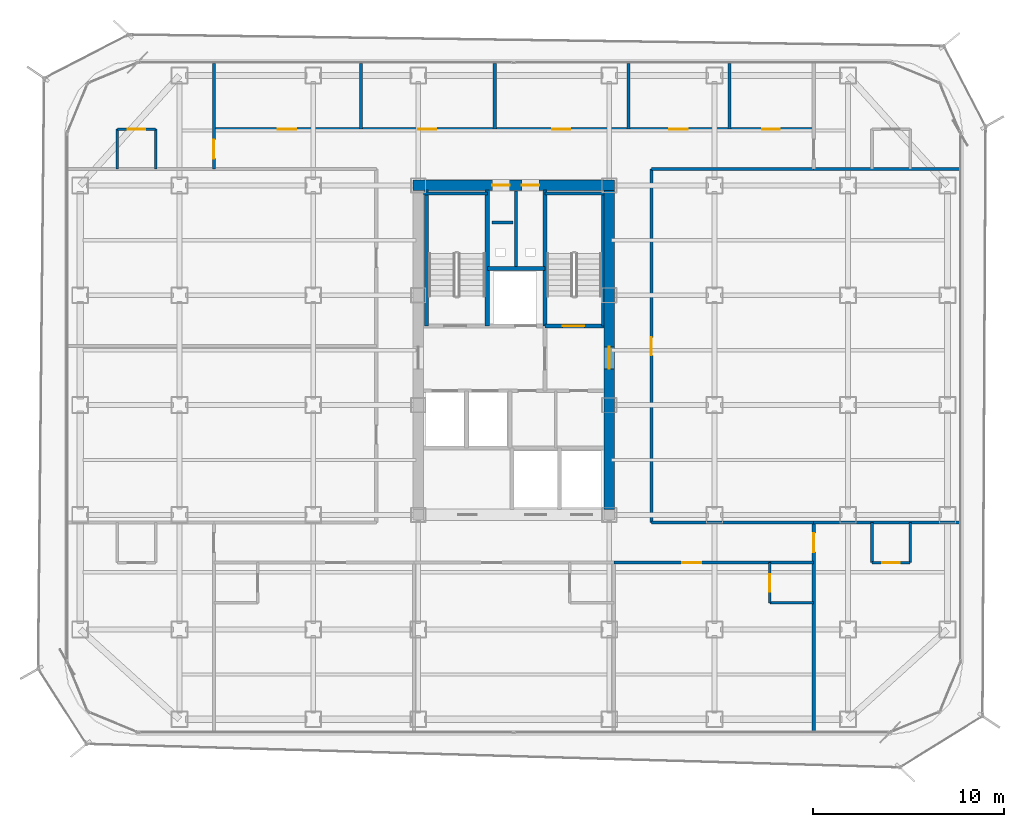
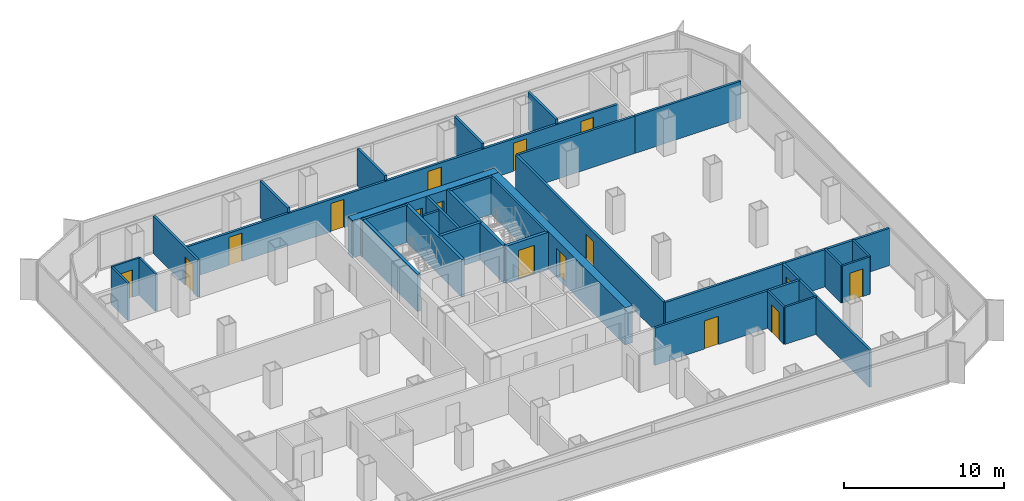
# One storey, part 17 of 21: 34 walls, 16 doors, 16 openings.
"""IFC4 building model written with IfcOpenShell, lengths in metres."""

import ifcopenshell
import ifcopenshell.guid

model = None  # the IFC model being written
_history = None  # IfcOwnerHistory: only IFC2X3 demands one
_inside = {}  # id of a spatial element -> (the spatial element, [elements in it])
_under = {}  # id of a project, library or spatial element -> (it, [spatial elements below it])
_declared = {}  # id of a project -> (the project, [libraries it declares])
_typed = {}  # id of a type object -> (the type object, [elements of that type])
_made_of = {}  # id of a material, layer set ... -> (it, [elements and type objects made of it])


def new_model(schema):
    """Start an empty IFC model of exactly this schema.

    Asked for "IFC4X3", IfcOpenShell would pick the latest addendum, in which some entities
    have other attributes; the version numbers below select the first issue.
    IFC2X3 requires an IfcOwnerHistory on every rooted entity: one is made here for all.
    """
    global model, _history
    if schema == "IFC4X3":
        model = ifcopenshell.file(schema_version=(4, 3, 0, 0))
    else:
        model = ifcopenshell.file(schema=schema)
    _inside.clear()
    _under.clear()
    _declared.clear()
    _typed.clear()
    _made_of.clear()
    _history = None
    if model.schema == "IFC2X3":
        org = make("IfcOrganization", Name="unknown")
        user = make(
            "IfcPersonAndOrganization",
            ThePerson=make("IfcPerson", FamilyName="unknown"),
            TheOrganization=org,
        )
        app = make(
            "IfcApplication",
            ApplicationDeveloper=org,
            Version="unknown",
            ApplicationFullName="unknown",
            ApplicationIdentifier="unknown",
        )
        _history = make(
            "IfcOwnerHistory",
            OwningUser=user,
            OwningApplication=app,
            ChangeAction="ADDED",
            CreationDate=0,
        )
    return model


def make(cls, **values):
    """One entity of the class cls with the attributes given. An attribute that is None is left unset."""
    return model.create_entity(
        cls, **{name: value for name, value in values.items() if value is not None}
    )


def rooted(cls, **values):
    """An entity with a GlobalId (a new one), such as an element, a storey or a relation."""
    return make(cls, GlobalId=ifcopenshell.guid.new(), OwnerHistory=_history, **values)


def si_unit(unit_type, name, prefix=None):
    """IfcSIUnit, for example si_unit("LENGTHUNIT", "METRE", prefix="MILLI")."""
    return make("IfcSIUnit", UnitType=unit_type, Prefix=prefix, Name=name)


def assignment(units):
    """IfcUnitAssignment: the units of a project."""
    return None if units is None else make("IfcUnitAssignment", Units=units)


def point(xyz):
    """IfcCartesianPoint."""
    return None if xyz is None else make("IfcCartesianPoint", Coordinates=xyz)


def direction(xyz):
    """IfcDirection."""
    return None if xyz is None else make("IfcDirection", DirectionRatios=xyz)


def frame(location, z_axis=None, x_axis=None):
    """IfcAxis2Placement3D, a coordinate frame: its origin and axes. An axis left out is left unset."""
    return make(
        "IfcAxis2Placement3D",
        Location=point(location),
        Axis=direction(z_axis),
        RefDirection=direction(x_axis),
    )


def frame_2d(location, x_axis=None):
    """IfcAxis2Placement2D, a coordinate frame in the plane: its origin and x axis."""
    return make(
        "IfcAxis2Placement2D", Location=point(location), RefDirection=direction(x_axis)
    )


def origin():
    """The frame at (0, 0, 0) with its axes left unset."""
    return frame((0.0, 0.0, 0.0))


def place(relative_to, where):
    """IfcLocalPlacement: puts the frame where relative to a parent placement (None: the world)."""
    return make(
        "IfcLocalPlacement", PlacementRelTo=relative_to, RelativePlacement=where
    )


def context(
    kind, dimensions, precision=None, world=None, true_north=None, identifier=None
):
    """IfcGeometricRepresentationContext, for example the 3D "Model" context."""
    return make(
        "IfcGeometricRepresentationContext",
        ContextIdentifier=identifier,
        ContextType=kind,
        CoordinateSpaceDimension=dimensions,
        Precision=precision,
        WorldCoordinateSystem=world,
        TrueNorth=true_north,
    )


def subcontext(parent, identifier, kind, view, scale=None):
    """IfcGeometricRepresentationSubContext, for example "Body" below "Model"."""
    return make(
        "IfcGeometricRepresentationSubContext",
        ContextIdentifier=identifier,
        ContextType=kind,
        ParentContext=parent,
        TargetScale=scale,
        TargetView=view,
    )


def project(units=None, contexts=None):
    """IfcProject with its units and contexts."""
    return rooted(
        "IfcProject",
        Name="project",
        RepresentationContexts=contexts,
        UnitsInContext=assignment(units),
    )


def spatial(cls, under=None, at=None, **own):
    """A site, building, storey or space (cls), placed at a placement, below another one or the project."""
    s = rooted(cls, ObjectPlacement=at, **own)
    if under is not None:
        _under.setdefault(under.id(), (under, []))[1].append(s)
    return s


def profile(cls, at=None, kind="AREA", **sizes):
    """A parametric profile (cls). Its sizes go by their IFC names, for example OverallWidth=200.0."""
    return make(cls, ProfileType=kind, Position=at, **sizes)


def rectangle(**sizes):
    """IfcRectangleProfileDef."""
    return profile("IfcRectangleProfileDef", **sizes)


def extrude(swept, where, along, depth):
    """IfcExtrudedAreaSolid: the profile swept, set in the frame where, extruded along a direction by depth."""
    return make(
        "IfcExtrudedAreaSolid",
        SweptArea=swept,
        Position=where,
        ExtrudedDirection=direction(along),
        Depth=depth,
    )


def shape(context_of_items, identifier, shape_type, items):
    """IfcShapeRepresentation: the items that make up one representation, for example the "Body"."""
    return make(
        "IfcShapeRepresentation",
        ContextOfItems=context_of_items,
        RepresentationIdentifier=identifier,
        RepresentationType=shape_type,
        Items=items,
    )


def material(Name=None, Category=None):
    """IfcMaterial."""
    return make("IfcMaterial", Name=Name, Category=Category)


def layer(
    of_material, thickness, ventilated=None, Name=None, Category=None, Priority=None
):
    """IfcMaterialLayer: one layer of a wall or slab, of a material (None: an air gap)."""
    return make(
        "IfcMaterialLayer",
        Material=of_material,
        LayerThickness=thickness,
        IsVentilated=ventilated,
        Name=Name,
        Category=Category,
        Priority=Priority,
    )


def layer_set(layers, Name=None):
    """IfcMaterialLayerSet."""
    return make("IfcMaterialLayerSet", MaterialLayers=layers, LayerSetName=Name)


def made_of(thing, what):
    """Note that an element or type object is made of a material, layer set ...; save() writes the relation."""
    if what is not None:
        _made_of.setdefault(what.id(), (what, []))[1].append(thing)
    return thing


def type_object(cls, material=None, **own):
    """A type object (cls), such as IfcWallType, which elements share."""
    return made_of(rooted(cls, **own), material)


def element(
    cls,
    number,
    at=None,
    inside=None,
    cuts=None,
    type_object=None,
    material=None,
    context=None,
    identifier="Body",
    shape_type=None,
    held_by="IfcProductDefinitionShape",
    body=None,
    shapes=None,
    **own,
):
    """One element of the class cls, such as IfcWall. Its Tag is "e" and its number.

    at: its placement. inside: the storey or other place that contains it. cuts: it is an
    opening in that element (IfcRelVoidsElement). A single representation is given by context,
    identifier, shape_type and body (its items); several are given by shapes. held_by: the class
    of the entity that holds the representations. save() writes the other relations.
    """
    e = rooted(cls, Tag="e%d" % number, ObjectPlacement=at, **own)
    if body is not None:
        shapes = [shape(context, identifier, shape_type, body)]
    if shapes is not None:
        e.Representation = make(held_by, Representations=shapes)
    if inside is not None:
        _inside.setdefault(inside.id(), (inside, []))[1].append(e)
    if cuts is not None:
        rooted(
            "IfcRelVoidsElement", RelatingBuildingElement=cuts, RelatedOpeningElement=e
        )
    if type_object is not None:
        _typed.setdefault(type_object.id(), (type_object, []))[1].append(e)
    return made_of(e, material)


def fill(opening, filler):
    """IfcRelFillsElement: the door or window that sits in an opening."""
    return rooted(
        "IfcRelFillsElement",
        RelatingOpeningElement=opening,
        RelatedBuildingElement=filler,
    )


def aggregate(whole, parts):
    """IfcRelAggregates: a whole, such as a stair, and the parts it consists of."""
    return rooted("IfcRelAggregates", RelatingObject=whole, RelatedObjects=parts)


def save(model, path):
    """Write the relations noted so far, then the file.

    IfcRelAggregates (storeys below a building ...), IfcRelContainedInSpatialStructure (elements
    in a storey), IfcRelDefinesByType, IfcRelAssociatesMaterial and IfcRelDeclares: one each for
    every whole, place, type object, material and project.
    """
    for whole, parts in _under.values():
        aggregate(whole, parts)
    for where, things in _inside.values():
        rooted(
            "IfcRelContainedInSpatialStructure",
            RelatedElements=things,
            RelatingStructure=where,
        )
    for kind, things in _typed.values():
        rooted("IfcRelDefinesByType", RelatedObjects=things, RelatingType=kind)
    for what, things in _made_of.values():
        rooted("IfcRelAssociatesMaterial", RelatedObjects=things, RelatingMaterial=what)
    for by, libraries in _declared.values():
        rooted("IfcRelDeclares", RelatingContext=by, RelatedDefinitions=libraries)
    model.write(path)


model = new_model("IFC4")

# Units and contexts
model_context = context("Model", 3, precision=1e-05, world=origin(), true_north=direction((0.0, 1.0)))
body_context = subcontext(model_context, "Body", "Model", "MODEL_VIEW")
ifc_project = project(units=[si_unit("LENGTHUNIT", "METRE"), si_unit("AREAUNIT", "SQUARE_METRE"), si_unit("VOLUMEUNIT", "CUBIC_METRE"), si_unit("PLANEANGLEUNIT", "RADIAN"), si_unit("MASSUNIT", "GRAM", prefix="KILO")], contexts=[model_context])

# Site, building, storey
site_placement = place(None, origin())
site = spatial("IfcSite", under=ifc_project, at=site_placement, CompositionType="ELEMENT")
building_placement = place(site_placement, origin())
building = spatial("IfcBuilding", under=site, at=building_placement, Name="Kolveth Station Tower", CompositionType="ELEMENT")
storey_placement = place(building_placement, frame((0.0, 0.0, 148.39990234375)))
storey = spatial("IfcBuildingStorey", under=building, at=storey_placement, Name="L41", CompositionType="ELEMENT", Elevation=148.39990234375)

# Wall, openings, doors
ifc_material_1 = material(Name="Concrete C60/75", Category="concrete")
ifc_layer_1 = layer(ifc_material_1, 0.550048828125)
ifc_layer_set_1 = layer_set([ifc_layer_1], Name="Concrete C60/75")
wall_type_1 = type_object("IfcWallType", Name="Wall_CW-550", PredefinedType="SHEAR", material=ifc_layer_set_1)
wall_1_placement = place(storey_placement, frame((18.22509765625, 28.75, 0.0), z_axis=(0.0, 0.0, 1.0), x_axis=(1.0, 0.0, 0.0)))
wall_1 = element("IfcWall", 1, at=wall_1_placement, inside=storey, type_object=wall_type_1, Name="L41 Core RC Shear Wall N", PredefinedType="SHEAR", context=body_context, shape_type="SweptSolid", body=[
    extrude(rectangle(XDim=10.5498046875, YDim=0.550048828125, at=frame_2d((5.27490234375, 0.0))), origin(), (0.0, 0.0, 1.0), 2.840087890625),
])
opening_1_placement = place(wall_1_placement, frame((4.155029296875, 0.0, 0.0)))
opening_1 = element("IfcOpeningElement", 2, at=opening_1_placement, cuts=wall_1, Name="Opening RD1", PredefinedType="OPENING", context=body_context, shape_type="SweptSolid", body=[
    extrude(rectangle(XDim=0.89990234375, YDim=2.050048828125, at=frame_2d((0.449951171875, 1.02490234375))), frame((0.0, 0.284912109375, 0.0), z_axis=(0.0, -1.0, 0.0), x_axis=(1.0, 0.0, 0.0)), (0.0, 0.0, 1.0), 0.570068359375),
])
opening_2_placement = place(wall_1_placement, frame((5.695068359375, 0.0, 0.0)))
opening_2 = element("IfcOpeningElement", 3, at=opening_2_placement, cuts=wall_1, Name="Opening RD1", PredefinedType="OPENING", context=body_context, shape_type="SweptSolid", body=[
    extrude(rectangle(XDim=0.89990234375, YDim=2.050048828125, at=frame_2d((0.449951171875, 1.02490234375))), frame((0.0, 0.284912109375, 0.0), z_axis=(0.0, -1.0, 0.0), x_axis=(1.0, 0.0, 0.0)), (0.0, 0.0, 1.0), 0.570068359375),
])
ifc_material_2 = material(Name="Fire-rated Steel S355 riser access leaf", Category="steel")
door_type_1 = type_object("IfcDoorType", Name="Door_RD1", OperationType="NOTDEFINED", PredefinedType="DOOR", material=ifc_material_2)
door_1_placement = place(opening_1_placement, origin())
door_1 = element("IfcDoor", 4, at=door_1_placement, inside=storey, type_object=door_type_1, Name="L41 Electrical Riser Access Door", OperationType="SINGLE_SWING_LEFT", OverallHeight=2.050048828125, OverallWidth=0.89990234375, PredefinedType="DOOR", context=body_context, shape_type="SweptSolid", body=[
    extrude(rectangle(XDim=0.89990234375, YDim=2.050048828125, at=frame_2d((0.449951171875, 1.02490234375))), frame((0.0, 0.02490234375, 0.0), z_axis=(0.0, -1.0, 0.0), x_axis=(1.0, 0.0, 0.0)), (0.0, 0.0, 1.0), 0.050048828125),
])
fill(opening_1, door_1)
door_2_placement = place(opening_2_placement, origin())
door_2 = element("IfcDoor", 5, at=door_2_placement, inside=storey, type_object=door_type_1, Name="L41 Smoke Duct Access Door", OperationType="SINGLE_SWING_RIGHT", OverallHeight=2.050048828125, OverallWidth=0.89990234375, PredefinedType="DOOR", context=body_context, shape_type="SweptSolid", body=[
    extrude(rectangle(XDim=0.89990234375, YDim=2.050048828125, at=frame_2d((0.449951171875, 1.02490234375))), frame((0.0, 0.02490234375, 0.0), z_axis=(0.0, -1.0, 0.0), x_axis=(1.0, 0.0, 0.0)), (0.0, 0.0, 1.0), 0.050048828125),
])
fill(opening_2, door_2)

# Wall, opening, door
wall_2_placement = place(storey_placement, frame((28.5, 11.77490234375, 0.0), z_axis=(0.0, 0.0, 1.0), x_axis=(0.0, 1.0, 0.0)))
wall_2 = element("IfcWall", 6, at=wall_2_placement, inside=storey, type_object=wall_type_1, Name="L41 Core RC Shear Wall E", PredefinedType="SHEAR", context=body_context, shape_type="SweptSolid", body=[
    extrude(rectangle(XDim=16.7001953125, YDim=0.550048828125, at=frame_2d((8.35009765625, 0.0))), origin(), (0.0, 0.0, 1.0), 2.840087890625),
])
opening_3_placement = place(wall_2_placement, frame((7.375, 0.0, 0.0)))
opening_3 = element("IfcOpeningElement", 7, at=opening_3_placement, cuts=wall_2, Name="Opening FD1", PredefinedType="OPENING", context=body_context, shape_type="SweptSolid", body=[
    extrude(rectangle(XDim=1.14990234375, YDim=2.199951171875, at=frame_2d((0.574951171875, 1.10009765625))), frame((0.0, 0.284912109375, 0.0), z_axis=(0.0, -1.0, 0.0), x_axis=(1.0, 0.0, 0.0)), (0.0, 0.0, 1.0), 0.570068359375),
])
ifc_material_3 = material(Name="Fire-rated Steel S355 leaf and frame", Category="steel")
door_type_2 = type_object("IfcDoorType", Name="Door_FD1", OperationType="NOTDEFINED", PredefinedType="DOOR", material=ifc_material_3)
door_3_placement = place(opening_3_placement, origin())
door_3 = element("IfcDoor", 8, at=door_3_placement, inside=storey, type_object=door_type_2, Name="L41 East Corridor to Stair Lobby Door", OperationType="SINGLE_SWING_RIGHT", OverallHeight=2.199951171875, OverallWidth=1.14990234375, PredefinedType="DOOR", context=body_context, shape_type="SweptSolid", body=[
    extrude(rectangle(XDim=1.14990234375, YDim=2.199951171875, at=frame_2d((0.574951171875, 1.10009765625))), frame((0.0, 0.02490234375, 0.0), z_axis=(0.0, -1.0, 0.0), x_axis=(1.0, 0.0, 0.0)), (0.0, 0.0, 1.0), 0.050048828125),
])
fill(opening_3, door_3)

# Walls
ifc_material_4 = material(Name="Moisture-resistant gypsum partition")
ifc_layer_2 = layer(ifc_material_4, 0.135009765625)
ifc_layer_set_2 = layer_set([ifc_layer_2], Name="Moisture-resistant gypsum partition")
wall_type_2 = type_object("IfcWallType", Name="Wall_IW-135", PredefinedType="PARTITIONING", material=ifc_layer_set_2)
wall_3_placement = place(storey_placement, frame((28.16748046875, 21.389892578125, 0.0), z_axis=(0.0, 0.0, 1.0), x_axis=(0.0, 1.0, 0.0)))
element("IfcWall", 9, at=wall_3_placement, inside=storey, type_object=wall_type_2, Name="L41 Stair Shaft Wall WL-L41-ST2-E", PredefinedType="PARTITIONING", context=body_context, shape_type="SweptSolid", body=[
    extrude(rectangle(XDim=6.945068359375, YDim=0.135009765625, at=frame_2d((3.47265625, 0.0))), origin(), (0.0, 0.0, 1.0), 2.840087890625),
])
for number, where, z_axis, x_axis, name in (
    (10, (2.75, 29.60009765625, 0.0), (0.0, 0.0, 1.0), (0.0, 1.0, 0.0), "L41 Partition Wall WL-L41-WS2-BV1"),
    (11, (4.75, 29.60009765625, 0.0), (0.0, 0.0, 1.0), (0.0, 1.0, 0.0), "L41 Partition Wall WL-L41-WS2-BV2"),
):
    element("IfcWall", number, at=place(storey_placement, frame(where, z_axis=z_axis, x_axis=x_axis)), inside=storey, type_object=wall_type_2, Name=name, PredefinedType="PARTITIONING", context=body_context, shape_type="SweptSolid", body=[
        extrude(rectangle(XDim=2.099853515625, YDim=0.135009765625, at=frame_2d((1.0498046875, 0.0))), origin(), (0.0, 0.0, 1.0), 2.840087890625),
    ])

# Wall, opening, door
wall_4_placement = place(storey_placement, frame((2.75, 31.699951171875, 0.0), z_axis=(0.0, 0.0, 1.0), x_axis=(1.0, 0.0, 0.0)))
wall_4 = element("IfcWall", 12, at=wall_4_placement, inside=storey, type_object=wall_type_2, Name="L41 Partition Wall WL-L41-WS2-BH", PredefinedType="PARTITIONING", context=body_context, shape_type="SweptSolid", body=[
    extrude(rectangle(XDim=2.0, YDim=0.135009765625, at=frame_2d((1.0, 0.0))), origin(), (0.0, 0.0, 1.0), 2.840087890625),
])
opening_4_placement = place(wall_4_placement, frame((0.5400390625, 0.0, 0.0)))
opening_4 = element("IfcOpeningElement", 13, at=opening_4_placement, cuts=wall_4, Name="Opening ID2", PredefinedType="OPENING", context=body_context, shape_type="SweptSolid", body=[
    extrude(rectangle(XDim=0.919921875, YDim=2.10009765625, at=frame_2d((0.4599609375, 1.050048828125))), frame((0.0, 0.077392578125, 0.0), z_axis=(0.0, -1.0, 0.0), x_axis=(1.0, 0.0, 0.0)), (0.0, 0.0, 1.0), 0.155029296875),
])
ifc_material_5 = material(Name="Moisture-resistant hardwood leaf", Category="wood")
door_type_3 = type_object("IfcDoorType", Name="Door_ID2", OperationType="NOTDEFINED", PredefinedType="DOOR", material=ifc_material_5)
door_4_placement = place(opening_4_placement, frame((0.919921875, 0.0, 0.0), z_axis=(0.0, 0.0, 1.0), x_axis=(-1.0, 0.0, 0.0)))
door_4 = element("IfcDoor", 14, at=door_4_placement, inside=storey, type_object=door_type_3, Name="L41 Hotel Guest Room WS2 En-Suite Door", OperationType="SINGLE_SWING_RIGHT", OverallHeight=2.10009765625, OverallWidth=0.919921875, PredefinedType="DOOR", context=body_context, shape_type="SweptSolid", body=[
    extrude(rectangle(XDim=0.919921875, YDim=2.10009765625, at=frame_2d((0.4599609375, 1.050048828125))), frame((0.0, 0.02490234375, 0.0), z_axis=(0.0, -1.0, 0.0), x_axis=(1.0, 0.0, 0.0)), (0.0, 0.0, 1.0), 0.050048828125),
])
fill(opening_4, door_4)

# Walls
for number, where, z_axis, x_axis, name in (
    (15, (42.25, 9.0, 0.0), (0.0, 0.0, 1.0), (0.0, 1.0, 0.0), "L41 Partition Wall WL-L41-ES1-BV1"),
    (16, (44.25, 9.0, 0.0), (0.0, 0.0, 1.0), (0.0, 1.0, 0.0), "L41 Partition Wall WL-L41-ES1-BV2"),
):
    element("IfcWall", number, at=place(storey_placement, frame(where, z_axis=z_axis, x_axis=x_axis)), inside=storey, type_object=wall_type_2, Name=name, PredefinedType="PARTITIONING", context=body_context, shape_type="SweptSolid", body=[
        extrude(rectangle(XDim=2.10009765625, YDim=0.135009765625, at=frame_2d((1.050048828125, 0.0))), origin(), (0.0, 0.0, 1.0), 2.840087890625),
    ])

# Wall, opening, door
wall_5_placement = place(storey_placement, frame((42.25, 9.0, 0.0), z_axis=(0.0, 0.0, 1.0), x_axis=(1.0, 0.0, 0.0)))
wall_5 = element("IfcWall", 17, at=wall_5_placement, inside=storey, type_object=wall_type_2, Name="L41 Partition Wall WL-L41-ES1-BH", PredefinedType="PARTITIONING", context=body_context, shape_type="SweptSolid", body=[
    extrude(rectangle(XDim=2.0, YDim=0.135009765625, at=frame_2d((1.0, 0.0))), origin(), (0.0, 0.0, 1.0), 2.840087890625),
])
opening_5_placement = place(wall_5_placement, frame((0.5400390625, 0.0, 0.0)))
opening_5 = element("IfcOpeningElement", 18, at=opening_5_placement, cuts=wall_5, Name="Opening ID2", PredefinedType="OPENING", context=body_context, shape_type="SweptSolid", body=[
    extrude(rectangle(XDim=0.919921875, YDim=2.10009765625, at=frame_2d((0.4599609375, 1.050048828125))), frame((0.0, 0.077392578125, 0.0), z_axis=(0.0, -1.0, 0.0), x_axis=(1.0, 0.0, 0.0)), (0.0, 0.0, 1.0), 0.155029296875),
])
door_5_placement = place(opening_5_placement, origin())
door_5 = element("IfcDoor", 19, at=door_5_placement, inside=storey, type_object=door_type_3, Name="L41 Hotel Corner Suite ES1 En-Suite Door", OperationType="SINGLE_SWING_RIGHT", OverallHeight=2.10009765625, OverallWidth=0.919921875, PredefinedType="DOOR", context=body_context, shape_type="SweptSolid", body=[
    extrude(rectangle(XDim=0.919921875, YDim=2.10009765625, at=frame_2d((0.4599609375, 1.050048828125))), frame((0.0, 0.02490234375, 0.0), z_axis=(0.0, -1.0, 0.0), x_axis=(1.0, 0.0, 0.0)), (0.0, 0.0, 1.0), 0.050048828125),
])
fill(opening_5, door_5)

wall_6_placement = place(storey_placement, frame((36.89990234375, 6.89990234375, 0.0), z_axis=(0.0, 0.0, 1.0), x_axis=(0.0, 1.0, 0.0)))
wall_6 = element("IfcWall", 20, at=wall_6_placement, inside=storey, type_object=wall_type_2, Name="L41 Partition Wall WL-L41-HS3-BV", PredefinedType="PARTITIONING", context=body_context, shape_type="SweptSolid", body=[
    extrude(rectangle(XDim=2.10009765625, YDim=0.135009765625, at=frame_2d((1.050048828125, 0.0))), origin(), (0.0, 0.0, 1.0), 2.840087890625),
])
opening_6_placement = place(wall_6_placement, frame((0.580078125, 0.0, 0.0)))
opening_6 = element("IfcOpeningElement", 21, at=opening_6_placement, cuts=wall_6, Name="Opening ID2", PredefinedType="OPENING", context=body_context, shape_type="SweptSolid", body=[
    extrude(rectangle(XDim=0.919921875, YDim=2.10009765625, at=frame_2d((0.4599609375, 1.050048828125))), frame((0.0, 0.077392578125, 0.0), z_axis=(0.0, -1.0, 0.0), x_axis=(1.0, 0.0, 0.0)), (0.0, 0.0, 1.0), 0.155029296875),
])
door_6_placement = place(opening_6_placement, origin())
door_6 = element("IfcDoor", 22, at=door_6_placement, inside=storey, type_object=door_type_3, Name="L41 Hotel Corner Suite HS3 En-Suite Door", OperationType="SINGLE_SWING_RIGHT", OverallHeight=2.10009765625, OverallWidth=0.919921875, PredefinedType="DOOR", context=body_context, shape_type="SweptSolid", body=[
    extrude(rectangle(XDim=0.919921875, YDim=2.10009765625, at=frame_2d((0.4599609375, 1.050048828125))), frame((0.0, 0.02490234375, 0.0), z_axis=(0.0, -1.0, 0.0), x_axis=(1.0, 0.0, 0.0)), (0.0, 0.0, 1.0), 0.050048828125),
])
fill(opening_6, door_6)

# Walls
wall_7_placement = place(storey_placement, frame((36.89990234375, 6.89990234375, 0.0), z_axis=(0.0, 0.0, 1.0), x_axis=(1.0, 0.0, 0.0)))
element("IfcWall", 23, at=wall_7_placement, inside=storey, type_object=wall_type_2, Name="L41 Partition Wall WL-L41-HS3-BH", PredefinedType="PARTITIONING", context=body_context, shape_type="SweptSolid", body=[
    extrude(rectangle(XDim=2.300048828125, YDim=0.135009765625, at=frame_2d((1.14990234375, 0.0))), origin(), (0.0, 0.0, 1.0), 2.840087890625),
])
ifc_material_6 = material(Name="Acoustic double-stud gypsum partition")
ifc_layer_3 = layer(ifc_material_6, 0.1650390625)
ifc_layer_set_3 = layer_set([ifc_layer_3], Name="Acoustic double-stud gypsum partition")
wall_type_3 = type_object("IfcWallType", Name="Wall_IW-165", PredefinedType="PARTITIONING", material=ifc_layer_set_3)
wall_8_placement = place(storey_placement, frame((18.784912109375, 28.3349609375, 0.0), z_axis=(0.0, 0.0, 1.0), x_axis=(1.0, 0.0, 0.0)))
element("IfcWall", 24, at=wall_8_placement, inside=storey, type_object=wall_type_3, Name="L41 Stair Shaft Wall WL-L41-ST1-N", PredefinedType="PARTITIONING", context=body_context, shape_type="SweptSolid", body=[
    extrude(rectangle(XDim=3.3251953125, YDim=0.1650390625, at=frame_2d((1.66259765625, 0.0))), origin(), (0.0, 0.0, 1.0), 2.840087890625),
])
wall_9_placement = place(storey_placement, frame((25.1298828125, 28.3349609375, 0.0), z_axis=(0.0, 0.0, 1.0), x_axis=(1.0, 0.0, 0.0)))
element("IfcWall", 25, at=wall_9_placement, inside=storey, type_object=wall_type_3, Name="L41 Stair Shaft Wall WL-L41-ST2-N", PredefinedType="PARTITIONING", context=body_context, shape_type="SweptSolid", body=[
    extrude(rectangle(XDim=3.085205078125, YDim=0.1650390625, at=frame_2d((1.54248046875, 0.0))), origin(), (0.0, 0.0, 1.0), 2.840087890625),
])
wall_10_placement = place(storey_placement, frame((23.6201171875, 24.39990234375, 0.0), z_axis=(0.0, 0.0, 1.0), x_axis=(0.0, 1.0, 0.0)))
element("IfcWall", 26, at=wall_10_placement, inside=storey, type_object=wall_type_3, Name="L41 Partition Wall WL-L41-RSR-M", PredefinedType="PARTITIONING", context=body_context, shape_type="SweptSolid", body=[
    extrude(rectangle(XDim=4.065185546875, YDim=0.1650390625, at=frame_2d((2.03271484375, 0.0))), origin(), (0.0, 0.0, 1.0), 2.840087890625),
])

# Wall, openings, doors
wall_11_placement = place(storey_placement, frame((7.800048828125, 31.699951171875, 0.0), z_axis=(0.0, 0.0, 1.0), x_axis=(1.0, 0.0, 0.0)))
wall_11 = element("IfcWall", 27, at=wall_11_placement, inside=storey, type_object=wall_type_3, Name="L41 Partition Wall WL-L41-HN", PredefinedType="PARTITIONING", context=body_context, shape_type="SweptSolid", body=[
    extrude(rectangle(XDim=31.39990234375, YDim=0.1650390625, at=frame_2d((15.699951171875, 0.0))), origin(), (0.0, 0.0, 1.0), 2.47314453125),
])
opening_7_placement = place(wall_11_placement, frame((3.35009765625, 0.0, 0.0)))
opening_7 = element("IfcOpeningElement", 28, at=opening_7_placement, cuts=wall_11, Name="Opening ID1", PredefinedType="OPENING", context=body_context, shape_type="SweptSolid", body=[
    extrude(rectangle(XDim=0.949951171875, YDim=2.14990234375, at=frame_2d((0.47509765625, 1.074951171875))), frame((0.0, 0.092529296875, 0.0), z_axis=(0.0, -1.0, 0.0), x_axis=(1.0, 0.0, 0.0)), (0.0, 0.0, 1.0), 0.18505859375),
])
opening_8_placement = place(wall_11_placement, frame((10.699951171875, 0.0, 0.0)))
opening_8 = element("IfcOpeningElement", 29, at=opening_8_placement, cuts=wall_11, Name="Opening ID1", PredefinedType="OPENING", context=body_context, shape_type="SweptSolid", body=[
    extrude(rectangle(XDim=0.949951171875, YDim=2.14990234375, at=frame_2d((0.47509765625, 1.074951171875))), frame((0.0, 0.092529296875, 0.0), z_axis=(0.0, -1.0, 0.0), x_axis=(1.0, 0.0, 0.0)), (0.0, 0.0, 1.0), 0.18505859375),
])
opening_9_placement = place(wall_11_placement, frame((17.699951171875, 0.0, 0.0)))
opening_9 = element("IfcOpeningElement", 30, at=opening_9_placement, cuts=wall_11, Name="Opening ID1", PredefinedType="OPENING", context=body_context, shape_type="SweptSolid", body=[
    extrude(rectangle(XDim=0.949951171875, YDim=2.14990234375, at=frame_2d((0.47509765625, 1.074951171875))), frame((0.0, 0.092529296875, 0.0), z_axis=(0.0, -1.0, 0.0), x_axis=(1.0, 0.0, 0.0)), (0.0, 0.0, 1.0), 0.18505859375),
])
opening_10_placement = place(wall_11_placement, frame((23.85009765625, 0.0, 0.0)))
opening_10 = element("IfcOpeningElement", 31, at=opening_10_placement, cuts=wall_11, Name="Opening ID1", PredefinedType="OPENING", context=body_context, shape_type="SweptSolid", body=[
    extrude(rectangle(XDim=0.949951171875, YDim=2.14990234375, at=frame_2d((0.47509765625, 1.074951171875))), frame((0.0, 0.092529296875, 0.0), z_axis=(0.0, -1.0, 0.0), x_axis=(1.0, 0.0, 0.0)), (0.0, 0.0, 1.0), 0.18505859375),
])
opening_11_placement = place(wall_11_placement, frame((28.699951171875, 0.0, 0.0)))
opening_11 = element("IfcOpeningElement", 32, at=opening_11_placement, cuts=wall_11, Name="Opening ID2", PredefinedType="OPENING", context=body_context, shape_type="SweptSolid", body=[
    extrude(rectangle(XDim=0.919921875, YDim=2.10009765625, at=frame_2d((0.4599609375, 1.050048828125))), frame((0.0, 0.092529296875, 0.0), z_axis=(0.0, -1.0, 0.0), x_axis=(1.0, 0.0, 0.0)), (0.0, 0.0, 1.0), 0.18505859375),
])
ifc_material_7 = material(Name="Acoustic hardwood leaf and aluminium frame", Category="wood")
door_type_4 = type_object("IfcDoorType", Name="Door_ID1", OperationType="NOTDEFINED", PredefinedType="DOOR", material=ifc_material_7)
door_7_placement = place(opening_7_placement, origin())
door_7 = element("IfcDoor", 33, at=door_7_placement, inside=storey, type_object=door_type_4, Name="L41 Executive Hospitality Office 1 Door", OperationType="SINGLE_SWING_RIGHT", OverallHeight=2.14990234375, OverallWidth=0.949951171875, PredefinedType="DOOR", context=body_context, shape_type="SweptSolid", body=[
    extrude(rectangle(XDim=0.949951171875, YDim=2.14990234375, at=frame_2d((0.47509765625, 1.074951171875))), frame((0.0, 0.02490234375, 0.0), z_axis=(0.0, -1.0, 0.0), x_axis=(1.0, 0.0, 0.0)), (0.0, 0.0, 1.0), 0.050048828125),
])
fill(opening_7, door_7)
door_8_placement = place(opening_8_placement, origin())
door_8 = element("IfcDoor", 34, at=door_8_placement, inside=storey, type_object=door_type_4, Name="L41 Executive Hospitality Office 2 Door", OperationType="SINGLE_SWING_LEFT", OverallHeight=2.14990234375, OverallWidth=0.949951171875, PredefinedType="DOOR", context=body_context, shape_type="SweptSolid", body=[
    extrude(rectangle(XDim=0.949951171875, YDim=2.14990234375, at=frame_2d((0.47509765625, 1.074951171875))), frame((0.0, 0.02490234375, 0.0), z_axis=(0.0, -1.0, 0.0), x_axis=(1.0, 0.0, 0.0)), (0.0, 0.0, 1.0), 0.050048828125),
])
fill(opening_8, door_8)
door_9_placement = place(opening_9_placement, origin())
door_9 = element("IfcDoor", 35, at=door_9_placement, inside=storey, type_object=door_type_4, Name="L41 Sky Hospitality Boardroom Door", OperationType="SINGLE_SWING_RIGHT", OverallHeight=2.14990234375, OverallWidth=0.949951171875, PredefinedType="DOOR", context=body_context, shape_type="SweptSolid", body=[
    extrude(rectangle(XDim=0.949951171875, YDim=2.14990234375, at=frame_2d((0.47509765625, 1.074951171875))), frame((0.0, 0.02490234375, 0.0), z_axis=(0.0, -1.0, 0.0), x_axis=(1.0, 0.0, 0.0)), (0.0, 0.0, 1.0), 0.050048828125),
])
fill(opening_9, door_9)
door_10_placement = place(opening_10_placement, origin())
door_10 = element("IfcDoor", 36, at=door_10_placement, inside=storey, type_object=door_type_4, Name="L41 Floor Service Pantry Door", OperationType="SINGLE_SWING_LEFT", OverallHeight=2.14990234375, OverallWidth=0.949951171875, PredefinedType="DOOR", context=body_context, shape_type="SweptSolid", body=[
    extrude(rectangle(XDim=0.949951171875, YDim=2.14990234375, at=frame_2d((0.47509765625, 1.074951171875))), frame((0.0, 0.02490234375, 0.0), z_axis=(0.0, -1.0, 0.0), x_axis=(1.0, 0.0, 0.0)), (0.0, 0.0, 1.0), 0.050048828125),
])
fill(opening_10, door_10)
door_11_placement = place(opening_11_placement, origin())
door_11 = element("IfcDoor", 37, at=door_11_placement, inside=storey, type_object=door_type_3, Name="L41 Accessible Guest WC Door", OperationType="SINGLE_SWING_RIGHT", OverallHeight=2.10009765625, OverallWidth=0.919921875, PredefinedType="DOOR", context=body_context, shape_type="SweptSolid", body=[
    extrude(rectangle(XDim=0.919921875, YDim=2.10009765625, at=frame_2d((0.4599609375, 1.050048828125))), frame((0.0, 0.02490234375, 0.0), z_axis=(0.0, -1.0, 0.0), x_axis=(1.0, 0.0, 0.0)), (0.0, 0.0, 1.0), 0.050048828125),
])
fill(opening_11, door_11)

# Walls
for number, where, z_axis, x_axis, name in (
    (38, (30.699951171875, 11.10009765625, 0.0), (0.0, 0.0, 1.0), (1.0, 0.0, 0.0), "L41 Partition Wall WL-L41-HSET"),
    (39, (30.699951171875, 29.60009765625, 0.0), (0.0, 0.0, 1.0), (1.0, 0.0, 0.0), "L41 Partition Wall WL-L41-HNEB"),
):
    element("IfcWall", number, at=place(storey_placement, frame(where, z_axis=z_axis, x_axis=x_axis)), inside=storey, type_object=wall_type_3, Name=name, PredefinedType="PARTITIONING", context=body_context, shape_type="SweptSolid", body=[
        extrude(rectangle(XDim=8.5, YDim=0.1650390625, at=frame_2d((4.25, 0.0))), origin(), (0.0, 0.0, 1.0), 2.840087890625),
    ])

# Wall, opening, door
wall_12_placement = place(storey_placement, frame((30.699951171875, 11.10009765625, 0.0), z_axis=(0.0, 0.0, 1.0), x_axis=(0.0, 1.0, 0.0)))
wall_12 = element("IfcWall", 40, at=wall_12_placement, inside=storey, type_object=wall_type_3, Name="L41 Partition Wall WL-L41-HE", PredefinedType="PARTITIONING", context=body_context, shape_type="SweptSolid", body=[
    extrude(rectangle(XDim=18.5, YDim=0.1650390625, at=frame_2d((9.25, 0.0))), origin(), (0.0, 0.0, 1.0), 2.840087890625),
])
opening_12_placement = place(wall_12_placement, frame((8.75, 0.0, 0.0)))
opening_12 = element("IfcOpeningElement", 41, at=opening_12_placement, cuts=wall_12, Name="Opening ID1", PredefinedType="OPENING", context=body_context, shape_type="SweptSolid", body=[
    extrude(rectangle(XDim=0.949951171875, YDim=2.14990234375, at=frame_2d((0.47509765625, 1.074951171875))), frame((0.0, 0.092529296875, 0.0), z_axis=(0.0, -1.0, 0.0), x_axis=(1.0, 0.0, 0.0)), (0.0, 0.0, 1.0), 0.18505859375),
])
door_12_placement = place(opening_12_placement, origin())
door_12 = element("IfcDoor", 42, at=door_12_placement, inside=storey, type_object=door_type_4, Name="L41 Grand Hospitality Salon Door", OperationType="SINGLE_SWING_LEFT", OverallHeight=2.14990234375, OverallWidth=0.949951171875, PredefinedType="DOOR", context=body_context, shape_type="SweptSolid", body=[
    extrude(rectangle(XDim=0.949951171875, YDim=2.14990234375, at=frame_2d((0.47509765625, 1.074951171875))), frame((0.0, 0.02490234375, 0.0), z_axis=(0.0, -1.0, 0.0), x_axis=(1.0, 0.0, 0.0)), (0.0, 0.0, 1.0), 0.050048828125),
])
fill(opening_12, door_12)

wall_13_placement = place(storey_placement, frame((7.800048828125, 29.60009765625, 0.0), z_axis=(0.0, 0.0, 1.0), x_axis=(0.0, 1.0, 0.0)))
wall_13 = element("IfcWall", 43, at=wall_13_placement, inside=storey, type_object=wall_type_3, Name="L41 Partition Wall WL-L41-END-WN", PredefinedType="PARTITIONING", context=body_context, shape_type="SweptSolid", body=[
    extrude(rectangle(XDim=5.539794921875, YDim=0.1650390625, at=frame_2d((2.77001953125, 0.0))), origin(), (0.0, 0.0, 1.0), 2.840087890625),
])
opening_13_placement = place(wall_13_placement, frame((0.550048828125, 0.0, 0.0)))
opening_13 = element("IfcOpeningElement", 44, at=opening_13_placement, cuts=wall_13, Name="Opening FD3", PredefinedType="OPENING", context=body_context, shape_type="SweptSolid", body=[
    extrude(rectangle(XDim=1.0, YDim=2.14990234375, at=frame_2d((0.5, 1.074951171875))), frame((0.0, 0.092529296875, 0.0), z_axis=(0.0, -1.0, 0.0), x_axis=(1.0, 0.0, 0.0)), (0.0, 0.0, 1.0), 0.18505859375),
])
ifc_material_8 = material(Name="Fire-rated hardwood leaf and aluminium frame", Category="wood")
door_type_5 = type_object("IfcDoorType", Name="Door_FD3", OperationType="NOTDEFINED", PredefinedType="DOOR", material=ifc_material_8)
door_13_placement = place(opening_13_placement, origin())
door_13 = element("IfcDoor", 45, at=door_13_placement, inside=storey, type_object=door_type_5, Name="L41 Hotel Guest Room WS2 Entrance Door", OperationType="SINGLE_SWING_LEFT", OverallHeight=2.14990234375, OverallWidth=1.0, PredefinedType="DOOR", context=body_context, shape_type="SweptSolid", body=[
    extrude(rectangle(XDim=1.0, YDim=2.14990234375, at=frame_2d((0.5, 1.074951171875))), frame((0.0, 0.02490234375, 0.0), z_axis=(0.0, -1.0, 0.0), x_axis=(1.0, 0.0, 0.0)), (0.0, 0.0, 1.0), 0.050048828125),
])
fill(opening_13, door_13)

wall_14_placement = place(storey_placement, frame((39.199951171875, 0.159912109375, 0.0), z_axis=(0.0, 0.0, 1.0), x_axis=(0.0, 1.0, 0.0)))
wall_14 = element("IfcWall", 46, at=wall_14_placement, inside=storey, type_object=wall_type_3, Name="L41 Partition Wall WL-L41-END-ES", PredefinedType="PARTITIONING", context=body_context, shape_type="SweptSolid", body=[
    extrude(rectangle(XDim=10.940185546875, YDim=0.1650390625, at=frame_2d((5.47021484375, 0.0))), origin(), (0.0, 0.0, 1.0), 2.840087890625),
])
opening_14_placement = place(wall_14_placement, frame((9.389892578125, 0.0, 0.0)))
opening_14 = element("IfcOpeningElement", 47, at=opening_14_placement, cuts=wall_14, Name="Opening FD3", PredefinedType="OPENING", context=body_context, shape_type="SweptSolid", body=[
    extrude(rectangle(XDim=1.0, YDim=2.14990234375, at=frame_2d((0.5, 1.074951171875))), frame((0.0, 0.092529296875, 0.0), z_axis=(0.0, -1.0, 0.0), x_axis=(1.0, 0.0, 0.0)), (0.0, 0.0, 1.0), 0.18505859375),
])
door_14_placement = place(opening_14_placement, frame((1.0, 0.0, 0.0), z_axis=(0.0, 0.0, 1.0), x_axis=(-1.0, 0.0, 0.0)))
door_14 = element("IfcDoor", 48, at=door_14_placement, inside=storey, type_object=door_type_5, Name="L41 Hotel Corner Suite ES1 Entrance Door", OperationType="SINGLE_SWING_LEFT", OverallHeight=2.14990234375, OverallWidth=1.0, PredefinedType="DOOR", context=body_context, shape_type="SweptSolid", body=[
    extrude(rectangle(XDim=1.0, YDim=2.14990234375, at=frame_2d((0.5, 1.074951171875))), frame((0.0, 0.02490234375, 0.0), z_axis=(0.0, -1.0, 0.0), x_axis=(1.0, 0.0, 0.0)), (0.0, 0.0, 1.0), 0.050048828125),
])
fill(opening_14, door_14)

# Walls
for number, where, z_axis, x_axis, name in (
    (49, (39.199951171875, 11.10009765625, 0.0), (0.0, 0.0, 1.0), (1.0, 0.0, 0.0), "L41 Partition Wall WL-L41-EM1"),
    (50, (39.199951171875, 29.60009765625, 0.0), (0.0, 0.0, 1.0), (1.0, 0.0, 0.0), "L41 Partition Wall WL-L41-EM2"),
):
    element("IfcWall", number, at=place(storey_placement, frame(where, z_axis=z_axis, x_axis=x_axis)), inside=storey, type_object=wall_type_3, Name=name, PredefinedType="PARTITIONING", context=body_context, shape_type="SweptSolid", body=[
        extrude(rectangle(XDim=7.64013671875, YDim=0.1650390625, at=frame_2d((3.820068359375, 0.0))), origin(), (0.0, 0.0, 1.0), 2.840087890625),
    ])
wall_15_placement = place(storey_placement, frame((36.89990234375, 9.0, 0.0), z_axis=(0.0, 0.0, 1.0), x_axis=(1.0, 0.0, 0.0)))
element("IfcWall", 51, at=wall_15_placement, inside=storey, type_object=wall_type_3, Name="L41 Partition Wall WL-L41-HS3-BCOR", PredefinedType="PARTITIONING", context=body_context, shape_type="SweptSolid", body=[
    extrude(rectangle(XDim=2.300048828125, YDim=0.1650390625, at=frame_2d((1.14990234375, 0.0))), origin(), (0.0, 0.0, 1.0), 2.840087890625),
])

# Wall, opening, door
wall_16_placement = place(storey_placement, frame((28.73291015625, 9.0, 0.0), z_axis=(0.0, 0.0, 1.0), x_axis=(1.0, 0.0, 0.0)))
wall_16 = element("IfcWall", 52, at=wall_16_placement, inside=storey, type_object=wall_type_3, Name="L41 Partition Wall WL-L41-HS3-RCOR", PredefinedType="PARTITIONING", context=body_context, shape_type="SweptSolid", body=[
    extrude(rectangle(XDim=8.1669921875, YDim=0.1650390625, at=frame_2d((4.08349609375, 0.0))), origin(), (0.0, 0.0, 1.0), 2.840087890625),
])
opening_15_placement = place(wall_16_placement, frame((3.583984375, 0.0, 0.0)))
opening_15 = element("IfcOpeningElement", 53, at=opening_15_placement, cuts=wall_16, Name="Opening FD3", PredefinedType="OPENING", context=body_context, shape_type="SweptSolid", body=[
    extrude(rectangle(XDim=1.0, YDim=2.14990234375, at=frame_2d((0.5, 1.074951171875))), frame((0.0, 0.092529296875, 0.0), z_axis=(0.0, -1.0, 0.0), x_axis=(1.0, 0.0, 0.0)), (0.0, 0.0, 1.0), 0.18505859375),
])
door_15_placement = place(opening_15_placement, frame((1.0, 0.0, 0.0), z_axis=(0.0, 0.0, 1.0), x_axis=(-1.0, 0.0, 0.0)))
door_15 = element("IfcDoor", 54, at=door_15_placement, inside=storey, type_object=door_type_5, Name="L41 Hotel Corner Suite HS3 Entrance Door", OperationType="SINGLE_SWING_LEFT", OverallHeight=2.14990234375, OverallWidth=1.0, PredefinedType="DOOR", context=body_context, shape_type="SweptSolid", body=[
    extrude(rectangle(XDim=1.0, YDim=2.14990234375, at=frame_2d((0.5, 1.074951171875))), frame((0.0, 0.02490234375, 0.0), z_axis=(0.0, -1.0, 0.0), x_axis=(1.0, 0.0, 0.0)), (0.0, 0.0, 1.0), 0.050048828125),
])
fill(opening_15, door_15)

# Walls
for number, where, z_axis, x_axis, name in (
    (55, (15.5, 31.699951171875, 0.0), (0.0, 0.0, 1.0), (0.0, 1.0, 0.0), "L41 Partition Wall WL-L41-HN-P1"),
    (56, (22.5, 31.699951171875, 0.0), (0.0, 0.0, 1.0), (0.0, 1.0, 0.0), "L41 Partition Wall WL-L41-HN-P2"),
    (57, (29.5, 31.699951171875, 0.0), (0.0, 0.0, 1.0), (0.0, 1.0, 0.0), "L41 Partition Wall WL-L41-HN-P3"),
    (58, (34.800048828125, 31.699951171875, 0.0), (0.0, 0.0, 1.0), (0.0, 1.0, 0.0), "L41 Partition Wall WL-L41-HN-P4"),
):
    element("IfcWall", number, at=place(storey_placement, frame(where, z_axis=z_axis, x_axis=x_axis)), inside=storey, type_object=wall_type_3, Name=name, PredefinedType="PARTITIONING", context=body_context, shape_type="SweptSolid", body=[
        extrude(rectangle(XDim=3.43994140625, YDim=0.1650390625, at=frame_2d((1.719970703125, 0.0))), origin(), (0.0, 0.0, 1.0), 2.840087890625),
    ])
wall_17_placement = place(storey_placement, frame((22.35009765625, 26.800048828125, 0.0), z_axis=(0.0, 0.0, 1.0), x_axis=(1.0, 0.0, 0.0)))
element("IfcWall", 59, at=wall_17_placement, inside=storey, type_object=wall_type_3, Name="L41 Acoustic Riser Dry-Lining Wall", PredefinedType="PARTITIONING", context=body_context, shape_type="SweptSolid", body=[
    extrude(rectangle(XDim=1.099853515625, YDim=0.1650390625, at=frame_2d((0.5498046875, 0.0))), origin(), (0.0, 0.0, 1.0), 2.840087890625),
])
ifc_material_9 = material(Name="Acoustic fire-rated gypsum blockwork", Category="masonry")
ifc_layer_4 = layer(ifc_material_9, 0.199951171875)
ifc_layer_set_4 = layer_set([ifc_layer_4], Name="Acoustic fire-rated gypsum blockwork")
wall_type_4 = type_object("IfcWallType", Name="Wall_IW-200", PredefinedType="PARTITIONING", material=ifc_layer_set_4)
wall_18_placement = place(storey_placement, frame((22.110107421875, 24.39990234375, 0.0), z_axis=(0.0, 0.0, 1.0), x_axis=(1.0, 0.0, 0.0)))
element("IfcWall", 60, at=wall_18_placement, inside=storey, type_object=wall_type_4, Name="L41 Partition Wall WL-L41-RSR-S", PredefinedType="PARTITIONING", context=body_context, shape_type="SweptSolid", body=[
    extrude(rectangle(XDim=3.019775390625, YDim=0.199951171875, at=frame_2d((1.509765625, 0.0))), origin(), (0.0, 0.0, 1.0), 2.840087890625),
])
ifc_material_10 = material(Name="Concrete C40/50", Category="concrete")
ifc_layer_5 = layer(ifc_material_10, 0.219970703125)
ifc_layer_set_5 = layer_set([ifc_layer_5], Name="Concrete C40/50")
wall_type_5 = type_object("IfcWallType", Name="Wall_IW-220", PredefinedType="SOLIDWALL", material=ifc_layer_set_5)
for number, where, z_axis, x_axis, name in (
    (61, (18.929931640625, 21.389892578125, 0.0), (0.0, 0.0, 1.0), (0.0, 1.0, 0.0), "L41 Stair Shaft Wall WL-L41-ST1-W"),
    (62, (22.110107421875, 21.389892578125, 0.0), (0.0, 0.0, 1.0), (0.0, 1.0, 0.0), "L41 Stair Shaft Wall WL-L41-ST1-E"),
    (63, (25.1298828125, 21.389892578125, 0.0), (0.0, 0.0, 1.0), (0.0, 1.0, 0.0), "L41 Stair Shaft Wall WL-L41-ST2-W"),
):
    element("IfcWall", number, at=place(storey_placement, frame(where, z_axis=z_axis, x_axis=x_axis)), inside=storey, type_object=wall_type_5, Name=name, PredefinedType="SOLIDWALL", context=body_context, shape_type="SweptSolid", body=[
        extrude(rectangle(XDim=7.110107421875, YDim=0.219970703125, at=frame_2d((3.55517578125, 0.0))), origin(), (0.0, 0.0, 1.0), 2.840087890625),
    ])

# Wall, opening, door
wall_19_placement = place(storey_placement, frame((25.1298828125, 21.389892578125, 0.0), z_axis=(0.0, 0.0, 1.0), x_axis=(1.0, 0.0, 0.0)))
wall_19 = element("IfcWall", 64, at=wall_19_placement, inside=storey, type_object=wall_type_5, Name="L41 Stair Shaft Wall WL-L41-ST2-S", PredefinedType="SOLIDWALL", context=body_context, shape_type="SweptSolid", body=[
    extrude(rectangle(XDim=3.085205078125, YDim=0.219970703125, at=frame_2d((1.54248046875, 0.0))), origin(), (0.0, 0.0, 1.0), 2.840087890625),
])
opening_16_placement = place(wall_19_placement, frame((0.919921875, 0.0, 0.0)))
opening_16 = element("IfcOpeningElement", 65, at=opening_16_placement, cuts=wall_19, Name="Opening FD1", PredefinedType="OPENING", context=body_context, shape_type="SweptSolid", body=[
    extrude(rectangle(XDim=1.14990234375, YDim=2.199951171875, at=frame_2d((0.574951171875, 1.10009765625))), frame((0.0, 0.119873046875, 0.0), z_axis=(0.0, -1.0, 0.0), x_axis=(1.0, 0.0, 0.0)), (0.0, 0.0, 1.0), 0.239990234375),
])
door_16_placement = place(opening_16_placement, frame((1.14990234375, 0.0, 0.0), z_axis=(0.0, 0.0, 1.0), x_axis=(-1.0, 0.0, 0.0)))
door_16 = element("IfcDoor", 66, at=door_16_placement, inside=storey, type_object=door_type_2, Name="L41 Stair ST2 Fire Door", OperationType="SINGLE_SWING_LEFT", OverallHeight=2.199951171875, OverallWidth=1.14990234375, PredefinedType="DOOR", context=body_context, shape_type="SweptSolid", body=[
    extrude(rectangle(XDim=1.14990234375, YDim=2.199951171875, at=frame_2d((0.574951171875, 1.10009765625))), frame((0.0, 0.02490234375, 0.0), z_axis=(0.0, -1.0, 0.0), x_axis=(1.0, 0.0, 0.0)), (0.0, 0.0, 1.0), 0.050048828125),
])
fill(opening_16, door_16)

save(model, "model.ifc")
